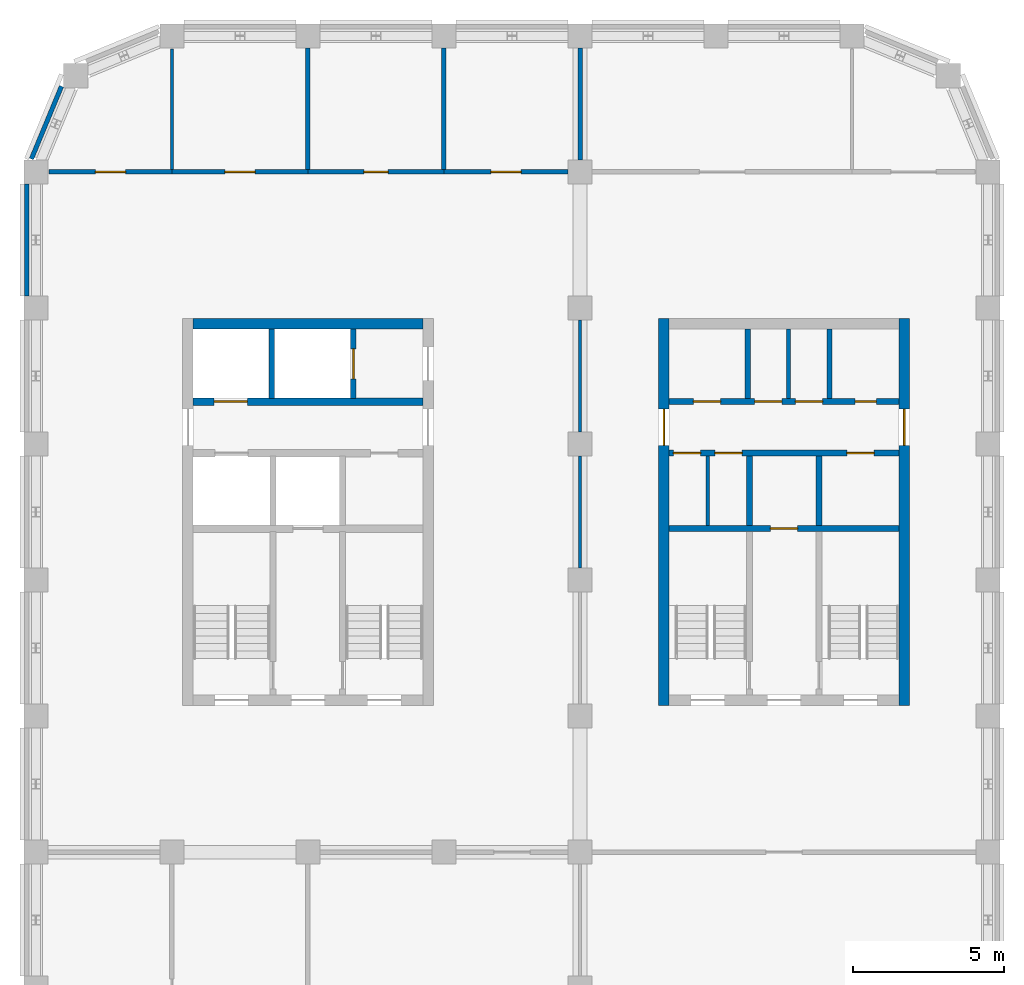
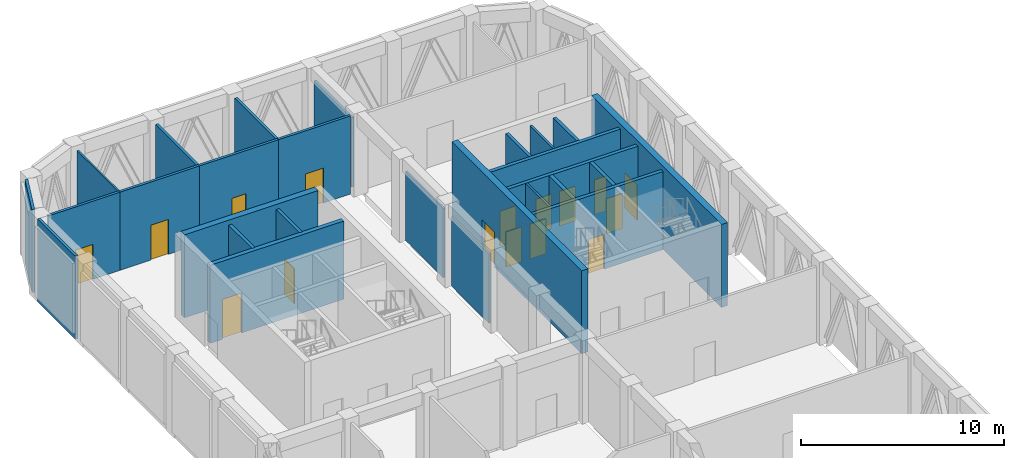
# One storey, part 4 of 7: 27 walls, 16 doors, 16 openings.
"""IFC4 building model written with IfcOpenShell, lengths in metres."""

import ifcopenshell
import ifcopenshell.guid

model = None  # the IFC model being written
_history = None  # IfcOwnerHistory: only IFC2X3 demands one
_inside = {}  # id of a spatial element -> (the spatial element, [elements in it])
_under = {}  # id of a project, library or spatial element -> (it, [spatial elements below it])
_declared = {}  # id of a project -> (the project, [libraries it declares])
_typed = {}  # id of a type object -> (the type object, [elements of that type])
_made_of = {}  # id of a material, layer set ... -> (it, [elements and type objects made of it])


def new_model(schema):
    """Start an empty IFC model of exactly this schema.

    Asked for "IFC4X3", IfcOpenShell would pick the latest addendum, in which some entities
    have other attributes; the version numbers below select the first issue.
    IFC2X3 requires an IfcOwnerHistory on every rooted entity: one is made here for all.
    """
    global model, _history
    if schema == "IFC4X3":
        model = ifcopenshell.file(schema_version=(4, 3, 0, 0))
    else:
        model = ifcopenshell.file(schema=schema)
    _inside.clear()
    _under.clear()
    _declared.clear()
    _typed.clear()
    _made_of.clear()
    _history = None
    if model.schema == "IFC2X3":
        org = make("IfcOrganization", Name="unknown")
        user = make(
            "IfcPersonAndOrganization",
            ThePerson=make("IfcPerson", FamilyName="unknown"),
            TheOrganization=org,
        )
        app = make(
            "IfcApplication",
            ApplicationDeveloper=org,
            Version="unknown",
            ApplicationFullName="unknown",
            ApplicationIdentifier="unknown",
        )
        _history = make(
            "IfcOwnerHistory",
            OwningUser=user,
            OwningApplication=app,
            ChangeAction="ADDED",
            CreationDate=0,
        )
    return model


def make(cls, **values):
    """One entity of the class cls with the attributes given. An attribute that is None is left unset."""
    return model.create_entity(
        cls, **{name: value for name, value in values.items() if value is not None}
    )


def rooted(cls, **values):
    """An entity with a GlobalId (a new one), such as an element, a storey or a relation."""
    return make(cls, GlobalId=ifcopenshell.guid.new(), OwnerHistory=_history, **values)


def si_unit(unit_type, name, prefix=None):
    """IfcSIUnit, for example si_unit("LENGTHUNIT", "METRE", prefix="MILLI")."""
    return make("IfcSIUnit", UnitType=unit_type, Prefix=prefix, Name=name)


def assignment(units):
    """IfcUnitAssignment: the units of a project."""
    return None if units is None else make("IfcUnitAssignment", Units=units)


def point(xyz):
    """IfcCartesianPoint."""
    return None if xyz is None else make("IfcCartesianPoint", Coordinates=xyz)


def direction(xyz):
    """IfcDirection."""
    return None if xyz is None else make("IfcDirection", DirectionRatios=xyz)


def frame(location, z_axis=None, x_axis=None):
    """IfcAxis2Placement3D, a coordinate frame: its origin and axes. An axis left out is left unset."""
    return make(
        "IfcAxis2Placement3D",
        Location=point(location),
        Axis=direction(z_axis),
        RefDirection=direction(x_axis),
    )


def frame_2d(location, x_axis=None):
    """IfcAxis2Placement2D, a coordinate frame in the plane: its origin and x axis."""
    return make(
        "IfcAxis2Placement2D", Location=point(location), RefDirection=direction(x_axis)
    )


def origin():
    """The frame at (0, 0, 0) with its axes left unset."""
    return frame((0.0, 0.0, 0.0))


def place(relative_to, where):
    """IfcLocalPlacement: puts the frame where relative to a parent placement (None: the world)."""
    return make(
        "IfcLocalPlacement", PlacementRelTo=relative_to, RelativePlacement=where
    )


def context(
    kind, dimensions, precision=None, world=None, true_north=None, identifier=None
):
    """IfcGeometricRepresentationContext, for example the 3D "Model" context."""
    return make(
        "IfcGeometricRepresentationContext",
        ContextIdentifier=identifier,
        ContextType=kind,
        CoordinateSpaceDimension=dimensions,
        Precision=precision,
        WorldCoordinateSystem=world,
        TrueNorth=true_north,
    )


def subcontext(parent, identifier, kind, view, scale=None):
    """IfcGeometricRepresentationSubContext, for example "Body" below "Model"."""
    return make(
        "IfcGeometricRepresentationSubContext",
        ContextIdentifier=identifier,
        ContextType=kind,
        ParentContext=parent,
        TargetScale=scale,
        TargetView=view,
    )


def project(units=None, contexts=None):
    """IfcProject with its units and contexts."""
    return rooted(
        "IfcProject",
        Name="project",
        RepresentationContexts=contexts,
        UnitsInContext=assignment(units),
    )


def spatial(cls, under=None, at=None, **own):
    """A site, building, storey or space (cls), placed at a placement, below another one or the project."""
    s = rooted(cls, ObjectPlacement=at, **own)
    if under is not None:
        _under.setdefault(under.id(), (under, []))[1].append(s)
    return s


def profile(cls, at=None, kind="AREA", **sizes):
    """A parametric profile (cls). Its sizes go by their IFC names, for example OverallWidth=200.0."""
    return make(cls, ProfileType=kind, Position=at, **sizes)


def rectangle(**sizes):
    """IfcRectangleProfileDef."""
    return profile("IfcRectangleProfileDef", **sizes)


def extrude(swept, where, along, depth):
    """IfcExtrudedAreaSolid: the profile swept, set in the frame where, extruded along a direction by depth."""
    return make(
        "IfcExtrudedAreaSolid",
        SweptArea=swept,
        Position=where,
        ExtrudedDirection=direction(along),
        Depth=depth,
    )


def shape(context_of_items, identifier, shape_type, items):
    """IfcShapeRepresentation: the items that make up one representation, for example the "Body"."""
    return make(
        "IfcShapeRepresentation",
        ContextOfItems=context_of_items,
        RepresentationIdentifier=identifier,
        RepresentationType=shape_type,
        Items=items,
    )


def material(Name=None, Category=None):
    """IfcMaterial."""
    return make("IfcMaterial", Name=Name, Category=Category)


def layer(
    of_material, thickness, ventilated=None, Name=None, Category=None, Priority=None
):
    """IfcMaterialLayer: one layer of a wall or slab, of a material (None: an air gap)."""
    return make(
        "IfcMaterialLayer",
        Material=of_material,
        LayerThickness=thickness,
        IsVentilated=ventilated,
        Name=Name,
        Category=Category,
        Priority=Priority,
    )


def layer_set(layers, Name=None):
    """IfcMaterialLayerSet."""
    return make("IfcMaterialLayerSet", MaterialLayers=layers, LayerSetName=Name)


def made_of(thing, what):
    """Note that an element or type object is made of a material, layer set ...; save() writes the relation."""
    if what is not None:
        _made_of.setdefault(what.id(), (what, []))[1].append(thing)
    return thing


def type_object(cls, material=None, **own):
    """A type object (cls), such as IfcWallType, which elements share."""
    return made_of(rooted(cls, **own), material)


def element(
    cls,
    number,
    at=None,
    inside=None,
    cuts=None,
    type_object=None,
    material=None,
    context=None,
    identifier="Body",
    shape_type=None,
    held_by="IfcProductDefinitionShape",
    body=None,
    shapes=None,
    **own,
):
    """One element of the class cls, such as IfcWall. Its Tag is "e" and its number.

    at: its placement. inside: the storey or other place that contains it. cuts: it is an
    opening in that element (IfcRelVoidsElement). A single representation is given by context,
    identifier, shape_type and body (its items); several are given by shapes. held_by: the class
    of the entity that holds the representations. save() writes the other relations.
    """
    e = rooted(cls, Tag="e%d" % number, ObjectPlacement=at, **own)
    if body is not None:
        shapes = [shape(context, identifier, shape_type, body)]
    if shapes is not None:
        e.Representation = make(held_by, Representations=shapes)
    if inside is not None:
        _inside.setdefault(inside.id(), (inside, []))[1].append(e)
    if cuts is not None:
        rooted(
            "IfcRelVoidsElement", RelatingBuildingElement=cuts, RelatedOpeningElement=e
        )
    if type_object is not None:
        _typed.setdefault(type_object.id(), (type_object, []))[1].append(e)
    return made_of(e, material)


def fill(opening, filler):
    """IfcRelFillsElement: the door or window that sits in an opening."""
    return rooted(
        "IfcRelFillsElement",
        RelatingOpeningElement=opening,
        RelatedBuildingElement=filler,
    )


def aggregate(whole, parts):
    """IfcRelAggregates: a whole, such as a stair, and the parts it consists of."""
    return rooted("IfcRelAggregates", RelatingObject=whole, RelatedObjects=parts)


def save(model, path):
    """Write the relations noted so far, then the file.

    IfcRelAggregates (storeys below a building ...), IfcRelContainedInSpatialStructure (elements
    in a storey), IfcRelDefinesByType, IfcRelAssociatesMaterial and IfcRelDeclares: one each for
    every whole, place, type object, material and project.
    """
    for whole, parts in _under.values():
        aggregate(whole, parts)
    for where, things in _inside.values():
        rooted(
            "IfcRelContainedInSpatialStructure",
            RelatedElements=things,
            RelatingStructure=where,
        )
    for kind, things in _typed.values():
        rooted("IfcRelDefinesByType", RelatedObjects=things, RelatingType=kind)
    for what, things in _made_of.values():
        rooted("IfcRelAssociatesMaterial", RelatedObjects=things, RelatingMaterial=what)
    for by, libraries in _declared.values():
        rooted("IfcRelDeclares", RelatingContext=by, RelatedDefinitions=libraries)
    model.write(path)


model = new_model("IFC4")

# Units and contexts
model_context = context("Model", 3, precision=1e-05, world=origin(), true_north=direction((0.0, 1.0)))
body_context = subcontext(model_context, "Body", "Model", "MODEL_VIEW")
ifc_project = project(units=[si_unit("LENGTHUNIT", "METRE"), si_unit("AREAUNIT", "SQUARE_METRE"), si_unit("VOLUMEUNIT", "CUBIC_METRE"), si_unit("PLANEANGLEUNIT", "RADIAN"), si_unit("MASSUNIT", "GRAM", prefix="KILO")], contexts=[model_context])

# Site, building, storey
site_placement = place(None, origin())
site = spatial("IfcSite", under=ifc_project, at=site_placement, CompositionType="ELEMENT")
building_placement = place(site_placement, origin())
building = spatial("IfcBuilding", under=site, at=building_placement, Name="Girih Gate Residences", CompositionType="ELEMENT")
storey_placement = place(building_placement, frame((0.0, 0.0, 201.89990234375)))
storey = spatial("IfcBuildingStorey", under=building, at=storey_placement, Name="L56", CompositionType="ELEMENT", Elevation=201.89990234375)

# Wall
ifc_material_1 = material(Name="Gypsum board on steel studs", Category="steel")
ifc_layer_1 = layer(ifc_material_1, 0.14990234375)
ifc_layer_set_1 = layer_set([ifc_layer_1], Name="Compartment wall 150 mm")
wall_type_1 = type_object("IfcWallType", Name="Compartment wall 150 mm", PredefinedType="PARTITIONING", material=ifc_layer_set_1)
wall_1_placement = place(storey_placement, frame((18.0, 45.39990234375, 0.0), z_axis=(0.0, 0.0, 1.0), x_axis=(0.0, 1.0, 0.0)))
element("IfcWall", 1, at=wall_1_placement, inside=storey, type_object=wall_type_1, Name="L56 partition", PredefinedType="PARTITIONING", context=body_context, shape_type="SweptSolid", body=[
    extrude(rectangle(XDim=3.7001953125, YDim=0.14990234375, at=frame_2d((1.85009765625, 0.0))), origin(), (0.0, 0.0, 1.0), 4.175048828125),
])

# Wall, opening, door
wall_2_placement = place(storey_placement, frame((0.432861328125, 45.0, 0.0), z_axis=(0.0, 0.0, 1.0), x_axis=(1.0, 0.0, 0.0)))
wall_2 = element("IfcWall", 2, at=wall_2_placement, inside=storey, type_object=wall_type_1, Name="L56 partition", PredefinedType="PARTITIONING", context=body_context, shape_type="SweptSolid", body=[
    extrude(rectangle(XDim=4.067138671875, YDim=0.14990234375, at=frame_2d((2.03369140625, 0.0))), origin(), (0.0, 0.0, 1.0), 4.695068359375),
])
opening_1_placement = place(wall_2_placement, frame((1.533447265625, 0.0, 0.0)))
opening_1 = element("IfcOpeningElement", 3, at=opening_1_placement, cuts=wall_2, Name="Opening D-L56-S-006", PredefinedType="OPENING", context=body_context, shape_type="SweptSolid", body=[
    extrude(rectangle(XDim=1.0, YDim=2.10009765625, at=frame_2d((0.5, 1.050048828125))), frame((0.0, 0.0849609375, 0.0), z_axis=(0.0, -1.0, 0.0), x_axis=(1.0, 0.0, 0.0)), (0.0, 0.0, 1.0), 0.169921875),
])
ifc_material_2 = material(Name="Painted steel, fire-resisting", Category="steel")
door_type_1 = type_object("IfcDoorType", Name="Plant room door 1000x2100 FD60", OperationType="SINGLE_SWING_LEFT", PredefinedType="DOOR", material=ifc_material_2)
door_1_placement = place(opening_1_placement, origin())
door_1 = element("IfcDoor", 4, at=door_1_placement, inside=storey, type_object=door_type_1, Name="Door L56-006", OperationType="SINGLE_SWING_RIGHT", OverallHeight=2.10009765625, OverallWidth=1.0, PredefinedType="DOOR", context=body_context, shape_type="SweptSolid", body=[
    extrude(rectangle(XDim=1.0, YDim=2.10009765625, at=frame_2d((0.5, 1.050048828125))), frame((0.0, 0.02490234375, 0.0), z_axis=(0.0, -1.0, 0.0), x_axis=(1.0, 0.0, 0.0)), (0.0, 0.0, 1.0), 0.050048828125),
])
fill(opening_1, door_1)

# Wall
wall_3_placement = place(storey_placement, frame((9.0, 45.074951171875, 0.0), z_axis=(0.0, 0.0, 1.0), x_axis=(0.0, 1.0, 0.0)))
element("IfcWall", 5, at=wall_3_placement, inside=storey, type_object=wall_type_1, Name="L56 partition", PredefinedType="PARTITIONING", context=body_context, shape_type="SweptSolid", body=[
    extrude(rectangle(XDim=4.025146484375, YDim=0.14990234375, at=frame_2d((2.0126953125, 0.0))), origin(), (0.0, 0.0, 1.0), 4.695068359375),
])

# Wall, opening, door
wall_4_placement = place(storey_placement, frame((4.5, 45.0, 0.0), z_axis=(0.0, 0.0, 1.0), x_axis=(1.0, 0.0, 0.0)))
wall_4 = element("IfcWall", 6, at=wall_4_placement, inside=storey, type_object=wall_type_1, Name="L56 partition", PredefinedType="PARTITIONING", context=body_context, shape_type="SweptSolid", body=[
    extrude(rectangle(XDim=4.5, YDim=0.14990234375, at=frame_2d((2.25, 0.0))), origin(), (0.0, 0.0, 1.0), 4.695068359375),
])
opening_2_placement = place(wall_4_placement, frame((1.75, 0.0, 0.0)))
opening_2 = element("IfcOpeningElement", 7, at=opening_2_placement, cuts=wall_4, Name="Opening D-L56-S-007", PredefinedType="OPENING", context=body_context, shape_type="SweptSolid", body=[
    extrude(rectangle(XDim=1.0, YDim=2.10009765625, at=frame_2d((0.5, 1.050048828125))), frame((0.0, 0.0849609375, 0.0), z_axis=(0.0, -1.0, 0.0), x_axis=(1.0, 0.0, 0.0)), (0.0, 0.0, 1.0), 0.169921875),
])
door_2_placement = place(opening_2_placement, origin())
door_2 = element("IfcDoor", 8, at=door_2_placement, inside=storey, type_object=door_type_1, Name="Door L56-007", OperationType="SINGLE_SWING_RIGHT", OverallHeight=2.10009765625, OverallWidth=1.0, PredefinedType="DOOR", context=body_context, shape_type="SweptSolid", body=[
    extrude(rectangle(XDim=1.0, YDim=2.10009765625, at=frame_2d((0.5, 1.050048828125))), frame((0.0, 0.02490234375, 0.0), z_axis=(0.0, -1.0, 0.0), x_axis=(1.0, 0.0, 0.0)), (0.0, 0.0, 1.0), 0.050048828125),
])
fill(opening_2, door_2)

# Wall
wall_5_placement = place(storey_placement, frame((13.5, 45.074951171875, 0.0), z_axis=(0.0, 0.0, 1.0), x_axis=(0.0, 1.0, 0.0)))
element("IfcWall", 9, at=wall_5_placement, inside=storey, type_object=wall_type_1, Name="L56 partition", PredefinedType="PARTITIONING", context=body_context, shape_type="SweptSolid", body=[
    extrude(rectangle(XDim=4.025146484375, YDim=0.14990234375, at=frame_2d((2.0126953125, 0.0))), origin(), (0.0, 0.0, 1.0), 4.695068359375),
])

# Wall, opening, door
wall_6_placement = place(storey_placement, frame((9.0, 45.0, 0.0), z_axis=(0.0, 0.0, 1.0), x_axis=(1.0, 0.0, 0.0)))
wall_6 = element("IfcWall", 10, at=wall_6_placement, inside=storey, type_object=wall_type_1, Name="L56 partition", PredefinedType="PARTITIONING", context=body_context, shape_type="SweptSolid", body=[
    extrude(rectangle(XDim=4.5, YDim=0.14990234375, at=frame_2d((2.25, 0.0))), origin(), (0.0, 0.0, 1.0), 4.695068359375),
])
opening_3_placement = place(wall_6_placement, frame((1.85009765625, 0.0, 0.0)))
opening_3 = element("IfcOpeningElement", 11, at=opening_3_placement, cuts=wall_6, Name="Opening D-L56-S-008", PredefinedType="OPENING", context=body_context, shape_type="SweptSolid", body=[
    extrude(rectangle(XDim=0.800048828125, YDim=2.10009765625, at=frame_2d((0.39990234375, 1.050048828125))), frame((0.0, 0.0849609375, 0.0), z_axis=(0.0, -1.0, 0.0), x_axis=(1.0, 0.0, 0.0)), (0.0, 0.0, 1.0), 0.169921875),
])
ifc_material_3 = material(Name="Timber", Category="wood")
door_type_2 = type_object("IfcDoorType", Name="WC and store door 800x2100", OperationType="SINGLE_SWING_LEFT", PredefinedType="DOOR", material=ifc_material_3)
door_3_placement = place(opening_3_placement, origin())
door_3 = element("IfcDoor", 12, at=door_3_placement, inside=storey, type_object=door_type_2, Name="Door L56-008", OperationType="SINGLE_SWING_RIGHT", OverallHeight=2.10009765625, OverallWidth=0.800048828125, PredefinedType="DOOR", context=body_context, shape_type="SweptSolid", body=[
    extrude(rectangle(XDim=0.800048828125, YDim=2.10009765625, at=frame_2d((0.39990234375, 1.050048828125))), frame((0.0, 0.02490234375, 0.0), z_axis=(0.0, -1.0, 0.0), x_axis=(1.0, 0.0, 0.0)), (0.0, 0.0, 1.0), 0.050048828125),
])
fill(opening_3, door_3)

wall_7_placement = place(storey_placement, frame((13.5, 45.0, 0.0), z_axis=(0.0, 0.0, 1.0), x_axis=(1.0, 0.0, 0.0)))
wall_7 = element("IfcWall", 13, at=wall_7_placement, inside=storey, type_object=wall_type_1, Name="L56 partition", PredefinedType="PARTITIONING", context=body_context, shape_type="SweptSolid", body=[
    extrude(rectangle(XDim=4.10009765625, YDim=0.14990234375, at=frame_2d((2.050048828125, 0.0))), origin(), (0.0, 0.0, 1.0), 4.695068359375),
])
opening_4_placement = place(wall_7_placement, frame((1.550048828125, 0.0, 0.0)))
opening_4 = element("IfcOpeningElement", 14, at=opening_4_placement, cuts=wall_7, Name="Opening D-L56-S-009", PredefinedType="OPENING", context=body_context, shape_type="SweptSolid", body=[
    extrude(rectangle(XDim=1.0, YDim=2.10009765625, at=frame_2d((0.5, 1.050048828125))), frame((0.0, 0.0849609375, 0.0), z_axis=(0.0, -1.0, 0.0), x_axis=(1.0, 0.0, 0.0)), (0.0, 0.0, 1.0), 0.169921875),
])
ifc_material_4 = material(Name="Timber, fire-rated core", Category="wood")
door_type_3 = type_object("IfcDoorType", Name="Amenity door 1000x2100 FD30S", OperationType="SINGLE_SWING_LEFT", PredefinedType="DOOR", material=ifc_material_4)
door_4_placement = place(opening_4_placement, origin())
door_4 = element("IfcDoor", 15, at=door_4_placement, inside=storey, type_object=door_type_3, Name="Door L56-009", OperationType="SINGLE_SWING_RIGHT", OverallHeight=2.10009765625, OverallWidth=1.0, PredefinedType="DOOR", context=body_context, shape_type="SweptSolid", body=[
    extrude(rectangle(XDim=1.0, YDim=2.10009765625, at=frame_2d((0.5, 1.050048828125))), frame((0.0, 0.02490234375, 0.0), z_axis=(0.0, -1.0, 0.0), x_axis=(1.0, 0.0, 0.0)), (0.0, 0.0, 1.0), 0.050048828125),
])
fill(opening_4, door_4)

# Wall
ifc_material_5 = material(Name="Concrete C60/75", Category="concrete")
ifc_layer_2 = layer(ifc_material_5, 0.35009765625)
ifc_layer_set_2 = layer_set([ifc_layer_2], Name="Core wall RC 350 Concrete C60/75")
wall_type_2 = type_object("IfcWallType", Name="Core wall RC 350 Concrete C60/75", PredefinedType="SOLIDWALL", material=ifc_layer_set_2)
wall_8_placement = place(storey_placement, frame((5.199951171875, 39.97509765625, 0.0), z_axis=(0.0, 0.0, 1.0), x_axis=(1.0, 0.0, 0.0)))
element("IfcWall", 16, at=wall_8_placement, inside=storey, type_object=wall_type_2, Name="Core wall W-N L56", PredefinedType="SOLIDWALL", context=body_context, shape_type="SweptSolid", body=[
    extrude(rectangle(XDim=7.60009765625, YDim=0.35009765625, at=frame_2d((3.800048828125, 0.0))), origin(), (0.0, 0.0, 1.0), 4.9951171875),
])

# Wall, opening, door
ifc_material_6 = material(Name="Concrete C40/50", Category="concrete")
ifc_layer_3 = layer(ifc_material_6, 0.25)
ifc_layer_set_3 = layer_set([ifc_layer_3], Name="Lift shaft wall 250")
wall_type_3 = type_object("IfcWallType", Name="Lift shaft wall 250", PredefinedType="SOLIDWALL", material=ifc_layer_set_3)
wall_9_placement = place(storey_placement, frame((5.199951171875, 37.39990234375, 0.0), z_axis=(0.0, 0.0, 1.0), x_axis=(1.0, 0.0, 0.0)))
wall_9 = element("IfcWall", 17, at=wall_9_placement, inside=storey, type_object=wall_type_3, Name="L56 W core wall H3", PredefinedType="SOLIDWALL", context=body_context, shape_type="SweptSolid", body=[
    extrude(rectangle(XDim=7.60009765625, YDim=0.25, at=frame_2d((3.800048828125, 0.0))), origin(), (0.0, 0.0, 1.0), 4.695068359375),
])
opening_5_placement = place(wall_9_placement, frame((0.699951171875, 0.0, 0.0)))
opening_5 = element("IfcOpeningElement", 18, at=opening_5_placement, cuts=wall_9, Name="Opening D-L56-W-003", PredefinedType="OPENING", context=body_context, shape_type="SweptSolid", body=[
    extrude(rectangle(XDim=1.10009765625, YDim=2.39990234375, at=frame_2d((0.550048828125, 1.199951171875))), frame((0.0, 0.135009765625, 0.0), z_axis=(0.0, -1.0, 0.0), x_axis=(1.0, 0.0, 0.0)), (0.0, 0.0, 1.0), 0.27001953125),
])
ifc_material_7 = material(Name="Stainless steel", Category="steel")
door_type_4 = type_object("IfcDoorType", Name="Lift landing door 1100x2400", OperationType="SLIDING_TO_LEFT", PredefinedType="DOOR", material=ifc_material_7)
door_5_placement = place(opening_5_placement, origin())
door_5 = element("IfcDoor", 19, at=door_5_placement, inside=storey, type_object=door_type_4, Name="L56 lift LR-W1 landing door", OperationType="SLIDING_TO_LEFT", OverallHeight=2.39990234375, OverallWidth=1.10009765625, PredefinedType="DOOR", context=body_context, shape_type="SweptSolid", body=[
    extrude(rectangle(XDim=1.10009765625, YDim=2.39990234375, at=frame_2d((0.550048828125, 1.199951171875))), frame((0.0, 0.02490234375, 0.0), z_axis=(0.0, -1.0, 0.0), x_axis=(1.0, 0.0, 0.0)), (0.0, 0.0, 1.0), 0.050048828125),
])
fill(opening_5, door_5)

# Walls
ifc_layer_4 = layer(ifc_material_1, 0.10009765625)
ifc_layer_set_4 = layer_set([ifc_layer_4], Name="Partition 100 mm")
wall_type_4 = type_object("IfcWallType", Name="Partition 100 mm", PredefinedType="PARTITIONING", material=ifc_layer_set_4)
for number, where, z_axis, x_axis, name in (
    (20, (18.0, 31.89990234375, 0.0), (0.0, 0.0, 1.0), (0.0, 1.0, 0.0), "L56 partition"),
    (21, (18.0, 36.39990234375, 0.0), (0.0, 0.0, 1.0), (0.0, 1.0, 0.0), "L56 partition"),
):
    element("IfcWall", number, at=place(storey_placement, frame(where, z_axis=z_axis, x_axis=x_axis)), inside=storey, type_object=wall_type_4, Name=name, PredefinedType="PARTITIONING", context=body_context, shape_type="SweptSolid", body=[
        extrude(rectangle(XDim=3.7001953125, YDim=0.10009765625, at=frame_2d((1.85009765625, 0.0))), origin(), (0.0, 0.0, 1.0), 4.175048828125),
    ])
wall_10_placement = place(storey_placement, frame((4.5, 45.074951171875, 0.0), z_axis=(0.0, 0.0, 1.0), x_axis=(0.0, 1.0, 0.0)))
element("IfcWall", 22, at=wall_10_placement, inside=storey, type_object=wall_type_4, Name="L56 partition", PredefinedType="PARTITIONING", context=body_context, shape_type="SweptSolid", body=[
    extrude(rectangle(XDim=3.9921875, YDim=0.10009765625, at=frame_2d((1.99609375, 0.0))), origin(), (0.0, 0.0, 1.0), 4.695068359375),
])
ifc_material_8 = material(Name="Precast concrete C50/60", Category="concrete")
ifc_layer_5 = layer(ifc_material_8, 0.050048828125, Name="Outer leaf")
ifc_material_9 = material(Name="Rigid PIR insulation")
ifc_layer_6 = layer(ifc_material_9, 0.06005859375, Name="Insulation")
ifc_material_10 = material(Name="Precast concrete C40/50", Category="concrete")
ifc_layer_7 = layer(ifc_material_10, 0.0400390625, Name="Inner leaf")
ifc_layer_set_5 = layer_set([ifc_layer_5, ifc_layer_6, ifc_layer_7], Name="Precast concrete C50/60 external wall 150")
wall_type_5 = type_object("IfcWallType", Name="Precast concrete C50/60 external wall 150", PredefinedType="SOLIDWALL", material=ifc_layer_set_5)
wall_11_placement = place(storey_placement, frame((-0.147216796875, 45.4287109375, 0.0), z_axis=(0.0, 0.0, 1.0), x_axis=(0.382669406082, 0.923885342263, 0.0)))
element("IfcWall", 23, at=wall_11_placement, inside=storey, type_object=wall_type_5, Name="External wall NW0013_0482.0", PredefinedType="SOLIDWALL", context=body_context, shape_type="SweptSolid", body=[
    extrude(rectangle(XDim=2.602294921875, YDim=0.14990234375, at=frame_2d((1.30126953125, 0.0))), origin(), (0.0, 0.0, 1.0), 4.9951171875),
])
wall_12_placement = place(storey_placement, frame((-0.300048828125, 40.89990234375, 0.0), z_axis=(0.0, 0.0, 1.0), x_axis=(0.0, 1.0, 0.0)))
element("IfcWall", 24, at=wall_12_placement, inside=storey, type_object=wall_type_5, Name="External wall W0000_0450.0", PredefinedType="SOLIDWALL", context=body_context, shape_type="SweptSolid", body=[
    extrude(rectangle(XDim=3.7001953125, YDim=0.14990234375, at=frame_2d((1.85009765625, 0.0))), origin(), (0.0, 0.0, 1.0), 4.9951171875),
])
ifc_layer_8 = layer(ifc_material_6, 0.175048828125)
ifc_layer_set_6 = layer_set([ifc_layer_8], Name="Riser shaft wall 175")
wall_type_6 = type_object("IfcWallType", Name="Riser shaft wall 175", PredefinedType="SOLIDWALL", material=ifc_layer_set_6)
wall_13_placement = place(storey_placement, frame((7.800048828125, 37.5, 0.0), z_axis=(0.0, 0.0, 1.0), x_axis=(0.0, 1.0, 0.0)))
element("IfcWall", 25, at=wall_13_placement, inside=storey, type_object=wall_type_6, Name="L56 W core wall V1c", PredefinedType="SOLIDWALL", context=body_context, shape_type="SweptSolid", body=[
    extrude(rectangle(XDim=2.300048828125, YDim=0.175048828125, at=frame_2d((1.14990234375, 0.0))), origin(), (0.0, 0.0, 1.0), 4.695068359375),
])

# Wall, opening, door
wall_14_placement = place(storey_placement, frame((10.5, 37.5, 0.0), z_axis=(0.0, 0.0, 1.0), x_axis=(0.0, 1.0, 0.0)))
wall_14 = element("IfcWall", 26, at=wall_14_placement, inside=storey, type_object=wall_type_6, Name="L56 W core wall V2c", PredefinedType="SOLIDWALL", context=body_context, shape_type="SweptSolid", body=[
    extrude(rectangle(XDim=2.300048828125, YDim=0.175048828125, at=frame_2d((1.14990234375, 0.0))), origin(), (0.0, 0.0, 1.0), 4.695068359375),
])
opening_6_placement = place(wall_14_placement, frame((0.64990234375, 0.0, 0.0)))
opening_6 = element("IfcOpeningElement", 27, at=opening_6_placement, cuts=wall_14, Name="Opening D-L56-W-004", PredefinedType="OPENING", context=body_context, shape_type="SweptSolid", body=[
    extrude(rectangle(XDim=1.0, YDim=2.10009765625, at=frame_2d((0.5, 1.050048828125))), frame((0.0, 0.097412109375, 0.0), z_axis=(0.0, -1.0, 0.0), x_axis=(1.0, 0.0, 0.0)), (0.0, 0.0, 1.0), 0.195068359375),
])
ifc_material_11 = material(Name="Stainless steel, fire-resisting", Category="steel")
door_type_5 = type_object("IfcDoorType", Name="Firefighting lift landing door 1000x2100", OperationType="SLIDING_TO_LEFT", PredefinedType="DOOR", material=ifc_material_11)
door_6_placement = place(opening_6_placement, origin())
door_6 = element("IfcDoor", 28, at=door_6_placement, inside=storey, type_object=door_type_5, Name="L56 lift FF-W2 landing door", OperationType="SLIDING_TO_LEFT", OverallHeight=2.10009765625, OverallWidth=1.0, PredefinedType="DOOR", context=body_context, shape_type="SweptSolid", body=[
    extrude(rectangle(XDim=1.0, YDim=2.10009765625, at=frame_2d((0.5, 1.050048828125))), frame((0.0, 0.02490234375, 0.0), z_axis=(0.0, -1.0, 0.0), x_axis=(1.0, 0.0, 0.0)), (0.0, 0.0, 1.0), 0.050048828125),
])
fill(opening_6, door_6)

# Walls
for number, where, z_axis, x_axis, name in (
    (29, (23.550048828125, 37.5, 0.0), (0.0, 0.0, 1.0), (0.0, 1.0, 0.0), "L56 C core wall V1c"),
    (30, (26.25, 37.5, 0.0), (0.0, 0.0, 1.0), (0.0, 1.0, 0.0), "L56 C core wall V2c"),
):
    element("IfcWall", number, at=place(storey_placement, frame(where, z_axis=z_axis, x_axis=x_axis)), inside=storey, type_object=wall_type_6, Name=name, PredefinedType="SOLIDWALL", context=body_context, shape_type="SweptSolid", body=[
        extrude(rectangle(XDim=2.300048828125, YDim=0.175048828125, at=frame_2d((1.14990234375, 0.0))), origin(), (0.0, 0.0, 1.0), 4.695068359375),
    ])

# Wall, opening, door
ifc_layer_9 = layer(ifc_material_6, 0.199951171875)
ifc_layer_set_7 = layer_set([ifc_layer_9], Name="Shaft wall 200")
wall_type_7 = type_object("IfcWallType", Name="Shaft wall 200", PredefinedType="SOLIDWALL", material=ifc_layer_set_7)
wall_15_placement = place(storey_placement, frame((20.949951171875, 33.199951171875, 0.0), z_axis=(0.0, 0.0, 1.0), x_axis=(1.0, 0.0, 0.0)))
wall_15 = element("IfcWall", 31, at=wall_15_placement, inside=storey, type_object=wall_type_7, Name="L56 C core wall H1", PredefinedType="SOLIDWALL", context=body_context, shape_type="SweptSolid", body=[
    extrude(rectangle(XDim=7.60009765625, YDim=0.199951171875, at=frame_2d((3.800048828125, 0.0))), origin(), (0.0, 0.0, 1.0), 4.695068359375),
])
opening_7_placement = place(wall_15_placement, frame((3.35009765625, 0.0, 0.0)))
opening_7 = element("IfcOpeningElement", 32, at=opening_7_placement, cuts=wall_15, Name="Opening D-L56-C-010", PredefinedType="OPENING", context=body_context, shape_type="SweptSolid", body=[
    extrude(rectangle(XDim=0.89990234375, YDim=2.10009765625, at=frame_2d((0.449951171875, 1.050048828125))), frame((0.0, 0.10986328125, 0.0), z_axis=(0.0, -1.0, 0.0), x_axis=(1.0, 0.0, 0.0)), (0.0, 0.0, 1.0), 0.219970703125),
])
door_type_6 = type_object("IfcDoorType", Name="Fire door 900x2100", OperationType="SINGLE_SWING_LEFT", PredefinedType="DOOR", material=ifc_material_2)
door_7_placement = place(opening_7_placement, origin())
door_7 = element("IfcDoor", 33, at=door_7_placement, inside=storey, type_object=door_type_6, Name="L56 C mechanical store door", OperationType="SINGLE_SWING_LEFT", OverallHeight=2.10009765625, OverallWidth=0.89990234375, PredefinedType="DOOR", context=body_context, shape_type="SweptSolid", body=[
    extrude(rectangle(XDim=0.89990234375, YDim=2.10009765625, at=frame_2d((0.449951171875, 1.050048828125))), frame((0.0, 0.02490234375, 0.0), z_axis=(0.0, -1.0, 0.0), x_axis=(1.0, 0.0, 0.0)), (0.0, 0.0, 1.0), 0.050048828125),
])
fill(opening_7, door_7)

# Wall, openings, doors
wall_16_placement = place(storey_placement, frame((20.949951171875, 35.699951171875, 0.0), z_axis=(0.0, 0.0, 1.0), x_axis=(1.0, 0.0, 0.0)))
wall_16 = element("IfcWall", 34, at=wall_16_placement, inside=storey, type_object=wall_type_7, Name="L56 C core wall H2", PredefinedType="SOLIDWALL", context=body_context, shape_type="SweptSolid", body=[
    extrude(rectangle(XDim=7.60009765625, YDim=0.199951171875, at=frame_2d((3.800048828125, 0.0))), origin(), (0.0, 0.0, 1.0), 4.695068359375),
])
opening_8_placement = place(wall_16_placement, frame((0.137451171875, 0.0, 0.0)))
opening_8 = element("IfcOpeningElement", 35, at=opening_8_placement, cuts=wall_16, Name="Opening D-L56-C-004", PredefinedType="OPENING", context=body_context, shape_type="SweptSolid", body=[
    extrude(rectangle(XDim=0.89990234375, YDim=2.10009765625, at=frame_2d((0.449951171875, 1.050048828125))), frame((0.0, 0.10986328125, 0.0), z_axis=(0.0, -1.0, 0.0), x_axis=(1.0, 0.0, 0.0)), (0.0, 0.0, 1.0), 0.219970703125),
])
opening_9_placement = place(wall_16_placement, frame((1.512451171875, 0.0, 0.0)))
opening_9 = element("IfcOpeningElement", 36, at=opening_9_placement, cuts=wall_16, Name="Opening D-L56-C-005", PredefinedType="OPENING", context=body_context, shape_type="SweptSolid", body=[
    extrude(rectangle(XDim=0.89990234375, YDim=2.10009765625, at=frame_2d((0.449951171875, 1.050048828125))), frame((0.0, 0.10986328125, 0.0), z_axis=(0.0, -1.0, 0.0), x_axis=(1.0, 0.0, 0.0)), (0.0, 0.0, 1.0), 0.219970703125),
])
opening_10_placement = place(wall_16_placement, frame((5.875, 0.0, 0.0)))
opening_10 = element("IfcOpeningElement", 37, at=opening_10_placement, cuts=wall_16, Name="Opening D-L56-C-006", PredefinedType="OPENING", context=body_context, shape_type="SweptSolid", body=[
    extrude(rectangle(XDim=0.89990234375, YDim=2.10009765625, at=frame_2d((0.449951171875, 1.050048828125))), frame((0.0, 0.10986328125, 0.0), z_axis=(0.0, -1.0, 0.0), x_axis=(1.0, 0.0, 0.0)), (0.0, 0.0, 1.0), 0.219970703125),
])
door_8_placement = place(opening_8_placement, origin())
door_8 = element("IfcDoor", 38, at=door_8_placement, inside=storey, type_object=door_type_6, Name="L56 C mechanical control room door", OperationType="SINGLE_SWING_LEFT", OverallHeight=2.10009765625, OverallWidth=0.89990234375, PredefinedType="DOOR", context=body_context, shape_type="SweptSolid", body=[
    extrude(rectangle(XDim=0.89990234375, YDim=2.10009765625, at=frame_2d((0.449951171875, 1.050048828125))), frame((0.0, 0.02490234375, 0.0), z_axis=(0.0, -1.0, 0.0), x_axis=(1.0, 0.0, 0.0)), (0.0, 0.0, 1.0), 0.050048828125),
])
fill(opening_8, door_8)
door_9_placement = place(opening_9_placement, origin())
door_9 = element("IfcDoor", 39, at=door_9_placement, inside=storey, type_object=door_type_6, Name="L56 C mechanical control room door", OperationType="SINGLE_SWING_LEFT", OverallHeight=2.10009765625, OverallWidth=0.89990234375, PredefinedType="DOOR", context=body_context, shape_type="SweptSolid", body=[
    extrude(rectangle(XDim=0.89990234375, YDim=2.10009765625, at=frame_2d((0.449951171875, 1.050048828125))), frame((0.0, 0.02490234375, 0.0), z_axis=(0.0, -1.0, 0.0), x_axis=(1.0, 0.0, 0.0)), (0.0, 0.0, 1.0), 0.050048828125),
])
fill(opening_9, door_9)
door_10_placement = place(opening_10_placement, origin())
door_10 = element("IfcDoor", 40, at=door_10_placement, inside=storey, type_object=door_type_6, Name="L56 C mechanical store door", OperationType="SINGLE_SWING_LEFT", OverallHeight=2.10009765625, OverallWidth=0.89990234375, PredefinedType="DOOR", context=body_context, shape_type="SweptSolid", body=[
    extrude(rectangle(XDim=0.89990234375, YDim=2.10009765625, at=frame_2d((0.449951171875, 1.050048828125))), frame((0.0, 0.02490234375, 0.0), z_axis=(0.0, -1.0, 0.0), x_axis=(1.0, 0.0, 0.0)), (0.0, 0.0, 1.0), 0.050048828125),
])
fill(opening_10, door_10)

wall_17_placement = place(storey_placement, frame((20.949951171875, 37.39990234375, 0.0), z_axis=(0.0, 0.0, 1.0), x_axis=(1.0, 0.0, 0.0)))
wall_17 = element("IfcWall", 41, at=wall_17_placement, inside=storey, type_object=wall_type_7, Name="L56 C core wall H3", PredefinedType="SOLIDWALL", context=body_context, shape_type="SweptSolid", body=[
    extrude(rectangle(XDim=7.60009765625, YDim=0.199951171875, at=frame_2d((3.800048828125, 0.0))), origin(), (0.0, 0.0, 1.0), 4.695068359375),
])
opening_11_placement = place(wall_17_placement, frame((6.14990234375, 0.0, 0.0)))
opening_11 = element("IfcOpeningElement", 42, at=opening_11_placement, cuts=wall_17, Name="Opening D-L56-C-003", PredefinedType="OPENING", context=body_context, shape_type="SweptSolid", body=[
    extrude(rectangle(XDim=0.699951171875, YDim=2.10009765625, at=frame_2d((0.35009765625, 1.050048828125))), frame((0.0, 0.10986328125, 0.0), z_axis=(0.0, -1.0, 0.0), x_axis=(1.0, 0.0, 0.0)), (0.0, 0.0, 1.0), 0.219970703125),
])
opening_12_placement = place(wall_17_placement, frame((0.800048828125, 0.0, 0.0)))
opening_12 = element("IfcOpeningElement", 43, at=opening_12_placement, cuts=wall_17, Name="Opening D-L56-C-007", PredefinedType="OPENING", context=body_context, shape_type="SweptSolid", body=[
    extrude(rectangle(XDim=0.89990234375, YDim=2.10009765625, at=frame_2d((0.449951171875, 1.050048828125))), frame((0.0, 0.10986328125, 0.0), z_axis=(0.0, -1.0, 0.0), x_axis=(1.0, 0.0, 0.0)), (0.0, 0.0, 1.0), 0.219970703125),
])
opening_13_placement = place(wall_17_placement, frame((2.824951171875, 0.0, 0.0)))
opening_13 = element("IfcOpeningElement", 44, at=opening_13_placement, cuts=wall_17, Name="Opening D-L56-C-008", PredefinedType="OPENING", context=body_context, shape_type="SweptSolid", body=[
    extrude(rectangle(XDim=0.89990234375, YDim=2.10009765625, at=frame_2d((0.449951171875, 1.050048828125))), frame((0.0, 0.10986328125, 0.0), z_axis=(0.0, -1.0, 0.0), x_axis=(1.0, 0.0, 0.0)), (0.0, 0.0, 1.0), 0.219970703125),
])
opening_14_placement = place(wall_17_placement, frame((4.175048828125, 0.0, 0.0)))
opening_14 = element("IfcOpeningElement", 45, at=opening_14_placement, cuts=wall_17, Name="Opening D-L56-C-009", PredefinedType="OPENING", context=body_context, shape_type="SweptSolid", body=[
    extrude(rectangle(XDim=0.89990234375, YDim=2.10009765625, at=frame_2d((0.449951171875, 1.050048828125))), frame((0.0, 0.10986328125, 0.0), z_axis=(0.0, -1.0, 0.0), x_axis=(1.0, 0.0, 0.0)), (0.0, 0.0, 1.0), 0.219970703125),
])
door_11_placement = place(opening_12_placement, origin())
door_11 = element("IfcDoor", 46, at=door_11_placement, inside=storey, type_object=door_type_6, Name="L56 C mechanical electrical room door", OperationType="SINGLE_SWING_LEFT", OverallHeight=2.10009765625, OverallWidth=0.89990234375, PredefinedType="DOOR", context=body_context, shape_type="SweptSolid", body=[
    extrude(rectangle(XDim=0.89990234375, YDim=2.10009765625, at=frame_2d((0.449951171875, 1.050048828125))), frame((0.0, 0.02490234375, 0.0), z_axis=(0.0, -1.0, 0.0), x_axis=(1.0, 0.0, 0.0)), (0.0, 0.0, 1.0), 0.050048828125),
])
fill(opening_12, door_11)
door_12_placement = place(opening_13_placement, origin())
door_12 = element("IfcDoor", 47, at=door_12_placement, inside=storey, type_object=door_type_6, Name="L56 C mechanical store door", OperationType="SINGLE_SWING_LEFT", OverallHeight=2.10009765625, OverallWidth=0.89990234375, PredefinedType="DOOR", context=body_context, shape_type="SweptSolid", body=[
    extrude(rectangle(XDim=0.89990234375, YDim=2.10009765625, at=frame_2d((0.449951171875, 1.050048828125))), frame((0.0, 0.02490234375, 0.0), z_axis=(0.0, -1.0, 0.0), x_axis=(1.0, 0.0, 0.0)), (0.0, 0.0, 1.0), 0.050048828125),
])
fill(opening_13, door_12)
door_13_placement = place(opening_14_placement, origin())
door_13 = element("IfcDoor", 48, at=door_13_placement, inside=storey, type_object=door_type_6, Name="L56 C mechanical control room door", OperationType="SINGLE_SWING_LEFT", OverallHeight=2.10009765625, OverallWidth=0.89990234375, PredefinedType="DOOR", context=body_context, shape_type="SweptSolid", body=[
    extrude(rectangle(XDim=0.89990234375, YDim=2.10009765625, at=frame_2d((0.449951171875, 1.050048828125))), frame((0.0, 0.02490234375, 0.0), z_axis=(0.0, -1.0, 0.0), x_axis=(1.0, 0.0, 0.0)), (0.0, 0.0, 1.0), 0.050048828125),
])
fill(opening_14, door_13)
door_type_7 = type_object("IfcDoorType", Name="Riser access door 700x2100", OperationType="SINGLE_SWING_LEFT", PredefinedType="DOOR", material=ifc_material_2)
door_14_placement = place(opening_11_placement, origin())
door_14 = element("IfcDoor", 49, at=door_14_placement, inside=storey, type_object=door_type_7, Name="L56 C riser room door", OperationType="SINGLE_SWING_LEFT", OverallHeight=2.10009765625, OverallWidth=0.699951171875, PredefinedType="DOOR", context=body_context, shape_type="SweptSolid", body=[
    extrude(rectangle(XDim=0.699951171875, YDim=2.10009765625, at=frame_2d((0.35009765625, 1.050048828125))), frame((0.0, 0.02490234375, 0.0), z_axis=(0.0, -1.0, 0.0), x_axis=(1.0, 0.0, 0.0)), (0.0, 0.0, 1.0), 0.050048828125),
])
fill(opening_11, door_14)

# Walls
for number, where, z_axis, x_axis, name in (
    (50, (23.60009765625, 33.300048828125, 0.0), (0.0, 0.0, 1.0), (0.0, 1.0, 0.0), "L56 C core wall V1b"),
    (51, (25.89990234375, 33.300048828125, 0.0), (0.0, 0.0, 1.0), (0.0, 1.0, 0.0), "L56 C core wall V2b"),
):
    element("IfcWall", number, at=place(storey_placement, frame(where, z_axis=z_axis, x_axis=x_axis)), inside=storey, type_object=wall_type_7, Name=name, PredefinedType="SOLIDWALL", context=body_context, shape_type="SweptSolid", body=[
        extrude(rectangle(XDim=2.300048828125, YDim=0.199951171875, at=frame_2d((1.14990234375, 0.0))), origin(), (0.0, 0.0, 1.0), 4.695068359375),
    ])

# Wall, opening, door
ifc_layer_10 = layer(ifc_material_6, 0.35009765625)
ifc_layer_set_8 = layer_set([ifc_layer_10], Name="Stair core wall RC 350 Concrete C40/50")
wall_type_8 = type_object("IfcWallType", Name="Stair core wall RC 350 Concrete C40/50", PredefinedType="SOLIDWALL", material=ifc_layer_set_8)
wall_18_placement = place(storey_placement, frame((20.77490234375, 27.35009765625, 0.0), z_axis=(0.0, 0.0, 1.0), x_axis=(0.0, 1.0, 0.0)))
wall_18 = element("IfcWall", 52, at=wall_18_placement, inside=storey, type_object=wall_type_8, Name="Stair core wall C-W L56", PredefinedType="SOLIDWALL", context=body_context, shape_type="SweptSolid", body=[
    extrude(rectangle(XDim=12.7998046875, YDim=0.35009765625, at=frame_2d((6.39990234375, 0.0))), origin(), (0.0, 0.0, 1.0), 4.9951171875),
])
opening_15_placement = place(wall_18_placement, frame((8.60009765625, 0.0, 0.0)))
opening_15 = element("IfcOpeningElement", 53, at=opening_15_placement, cuts=wall_18, Name="Opening D-L56-C-014", PredefinedType="OPENING", context=body_context, shape_type="SweptSolid", body=[
    extrude(rectangle(XDim=1.199951171875, YDim=2.10009765625, at=frame_2d((0.60009765625, 1.050048828125))), frame((0.0, 0.18505859375, 0.0), z_axis=(0.0, -1.0, 0.0), x_axis=(1.0, 0.0, 0.0)), (0.0, 0.0, 1.0), 0.3701171875),
])
door_type_8 = type_object("IfcDoorType", Name="Fire door 1200x2100", OperationType="SINGLE_SWING_LEFT", PredefinedType="DOOR", material=ifc_material_2)
door_15_placement = place(opening_15_placement, origin())
door_15 = element("IfcDoor", 54, at=door_15_placement, inside=storey, type_object=door_type_8, Name="L56 C core door ll-w", OperationType="SINGLE_SWING_LEFT", OverallHeight=2.10009765625, OverallWidth=1.199951171875, PredefinedType="DOOR", context=body_context, shape_type="SweptSolid", body=[
    extrude(rectangle(XDim=1.199951171875, YDim=2.10009765625, at=frame_2d((0.60009765625, 1.050048828125))), frame((0.0, 0.02490234375, 0.0), z_axis=(0.0, -1.0, 0.0), x_axis=(1.0, 0.0, 0.0)), (0.0, 0.0, 1.0), 0.050048828125),
])
fill(opening_15, door_15)

wall_19_placement = place(storey_placement, frame((28.72509765625, 27.35009765625, 0.0), z_axis=(0.0, 0.0, 1.0), x_axis=(0.0, 1.0, 0.0)))
wall_19 = element("IfcWall", 55, at=wall_19_placement, inside=storey, type_object=wall_type_8, Name="Stair core wall C-E L56", PredefinedType="SOLIDWALL", context=body_context, shape_type="SweptSolid", body=[
    extrude(rectangle(XDim=12.7998046875, YDim=0.35009765625, at=frame_2d((6.39990234375, 0.0))), origin(), (0.0, 0.0, 1.0), 4.9951171875),
])
opening_16_placement = place(wall_19_placement, frame((8.60009765625, 0.0, 0.0)))
opening_16 = element("IfcOpeningElement", 56, at=opening_16_placement, cuts=wall_19, Name="Opening D-L56-C-015", PredefinedType="OPENING", context=body_context, shape_type="SweptSolid", body=[
    extrude(rectangle(XDim=1.199951171875, YDim=2.10009765625, at=frame_2d((0.60009765625, 1.050048828125))), frame((0.0, 0.18505859375, 0.0), z_axis=(0.0, -1.0, 0.0), x_axis=(1.0, 0.0, 0.0)), (0.0, 0.0, 1.0), 0.3701171875),
])
door_16_placement = place(opening_16_placement, origin())
door_16 = element("IfcDoor", 57, at=door_16_placement, inside=storey, type_object=door_type_8, Name="L56 C core door ll-e", OperationType="SINGLE_SWING_LEFT", OverallHeight=2.10009765625, OverallWidth=1.199951171875, PredefinedType="DOOR", context=body_context, shape_type="SweptSolid", body=[
    extrude(rectangle(XDim=1.199951171875, YDim=2.10009765625, at=frame_2d((0.60009765625, 1.050048828125))), frame((0.0, 0.02490234375, 0.0), z_axis=(0.0, -1.0, 0.0), x_axis=(1.0, 0.0, 0.0)), (0.0, 0.0, 1.0), 0.050048828125),
])
fill(opening_16, door_16)

# Walls
ifc_material_12 = material(Name="Calcium silicate blockwork", Category="masonry")
ifc_layer_11 = layer(ifc_material_12, 0.125)
ifc_layer_set_9 = layer_set([ifc_layer_11], Name="Store partition 125")
wall_type_9 = type_object("IfcWallType", Name="Store partition 125", PredefinedType="PARTITIONING", material=ifc_layer_set_9)
for number, where, z_axis, x_axis, name in (
    (58, (22.22509765625, 33.300048828125, 0.0), (0.0, 0.0, 1.0), (0.0, 1.0, 0.0), "L56 C core wall SHR1"),
    (59, (24.89990234375, 37.5, 0.0), (0.0, 0.0, 1.0), (0.0, 1.0, 0.0), "L56 C core wall SLR2"),
):
    element("IfcWall", number, at=place(storey_placement, frame(where, z_axis=z_axis, x_axis=x_axis)), inside=storey, type_object=wall_type_9, Name=name, PredefinedType="PARTITIONING", context=body_context, shape_type="SweptSolid", body=[
        extrude(rectangle(XDim=2.300048828125, YDim=0.125, at=frame_2d((1.14990234375, 0.0))), origin(), (0.0, 0.0, 1.0), 4.695068359375),
    ])

save(model, "model.ifc")
